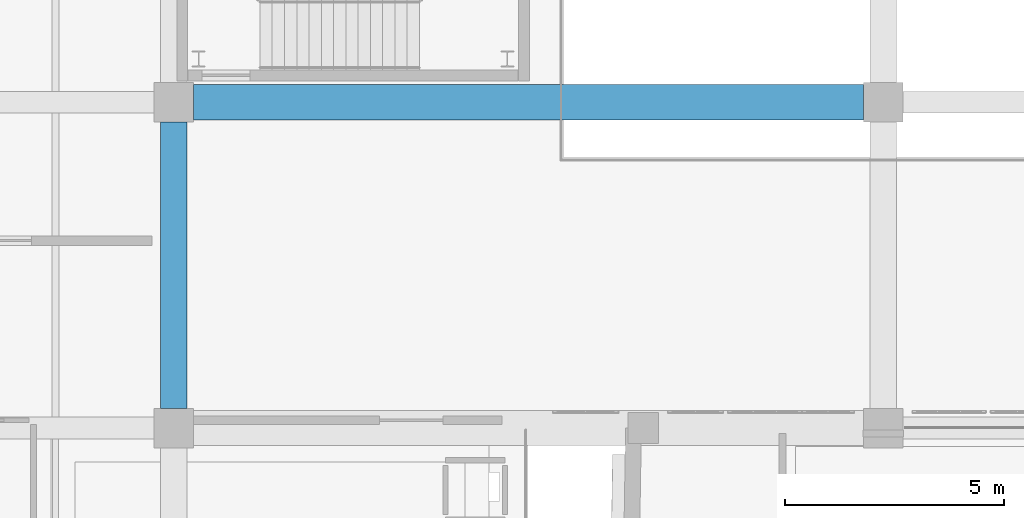
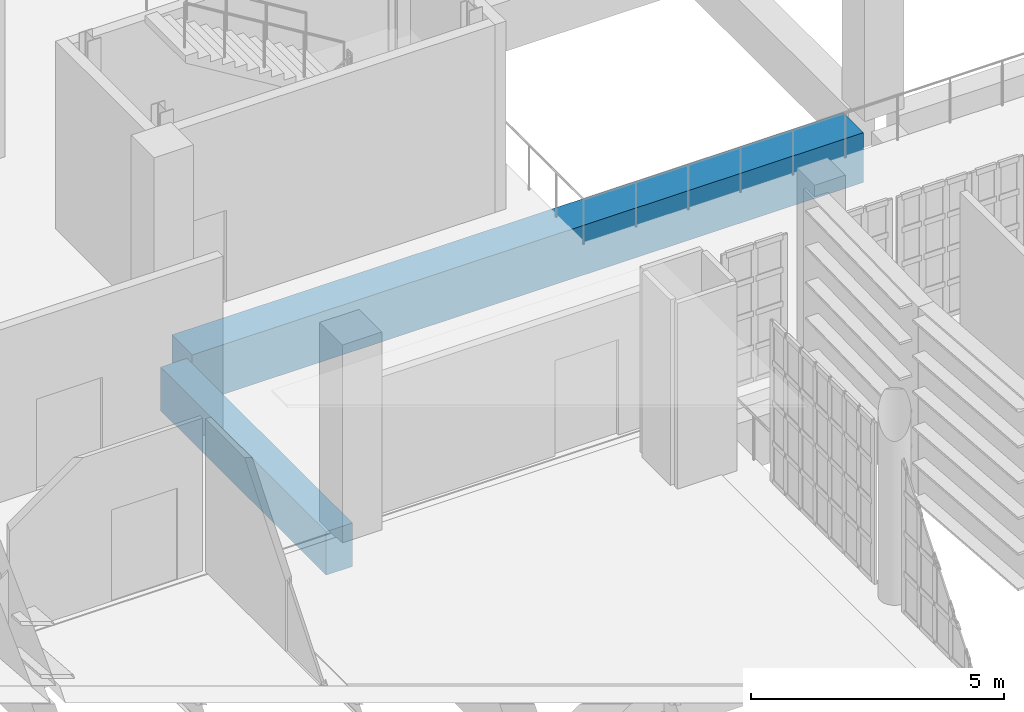
# One storey, part 38 of 104: 2 beams.
"""IFC4 building model written with IfcOpenShell, lengths in metres."""

from ifc_helpers import new_model, si_unit, direction, frame, origin, origin_2d, place, context, subcontext, project, spatial, rectangle, extrude, material, material_profile, profile_set, type_object, element, save


model = new_model("IFC4")

# Units and contexts
model_context = context("Model", 3, precision=1e-05, world=origin(), true_north=direction((0.0, 1.0)))
body_context = subcontext(model_context, "Body", "Model", "MODEL_VIEW")
ifc_project = project(units=[si_unit("LENGTHUNIT", "METRE"), si_unit("AREAUNIT", "SQUARE_METRE"), si_unit("VOLUMEUNIT", "CUBIC_METRE"), si_unit("PLANEANGLEUNIT", "RADIAN"), si_unit("MASSUNIT", "GRAM", prefix="KILO")], contexts=[model_context])

# Site, building, storey
site_placement = place(None, origin())
site = spatial("IfcSite", under=ifc_project, at=site_placement, CompositionType="ELEMENT")
building_placement = place(site_placement, origin())
building = spatial("IfcBuilding", under=site, at=building_placement, Name="Kaelora Sail Theatre", CompositionType="ELEMENT")
storey_placement = place(building_placement, frame((0.0, 0.0, 5.39990234375)))
storey = spatial("IfcBuildingStorey", under=building, at=storey_placement, Name="L01", CompositionType="ELEMENT", Elevation=5.39990234375)

# Beams
ifc_material_1 = material(Name="Concrete C50/60", Category="concrete")
ifc_material_profile_1 = material_profile(ifc_material_1, rectangle(XDim=0.60009765625, YDim=1.050048828125, at=origin_2d()), Name="RC-GRD 600x1050")
ifc_profile_set_1 = profile_set([ifc_material_profile_1], Name="Concrete C50/60")
beam_type_1 = type_object("IfcBeamType", Name="STR-BM-GR-RC6105", PredefinedType="T_BEAM", material=ifc_profile_set_1)
beam_1_placement = place(storey_placement, frame((66.300048828125, 61.469970703125, -0.81982421875), z_axis=(0.0, 1.0, 0.0), x_axis=(-1.0, 0.0, 0.0)))
element("IfcBeam", 1, at=beam_1_placement, inside=storey, type_object=beam_type_1, Name="Primary beam 9 I-J (L01)", PredefinedType="T_BEAM", context=body_context, shape_type="SweptSolid", body=[
    extrude(rectangle(XDim=0.60009765625, YDim=1.050048828125, at=origin_2d()), origin(), (0.0, 0.0, 1.0), 6.5400390625),
])
ifc_material_2 = material(Name="Concrete C50/60", Category="concrete")
ifc_material_profile_2 = material_profile(ifc_material_2, rectangle(XDim=0.800048828125, YDim=1.199951171875, at=origin_2d()), Name="RC-SRB 800x1200")
ifc_profile_set_2 = profile_set([ifc_material_profile_2], Name="Concrete C50/60")
beam_type_2 = type_object("IfcBeamType", Name="STR-BM-SRB-8012", PredefinedType="T_BEAM", material=ifc_profile_set_2)
beam_2_placement = place(storey_placement, frame((66.75, 68.4599609375, -0.89501953125), z_axis=(1.0, 0.0, 0.0), x_axis=(0.0, 1.0, 0.0)))
element("IfcBeam", 2, at=beam_2_placement, inside=storey, type_object=beam_type_2, Name="Grand Foyer clear-span girder L01-J", PredefinedType="T_BEAM", context=body_context, shape_type="SweptSolid", body=[
    extrude(rectangle(XDim=0.800048828125, YDim=1.199951171875, at=origin_2d()), origin(), (0.0, 0.0, 1.0), 15.300048828125),
])

save(model, "model.ifc")
